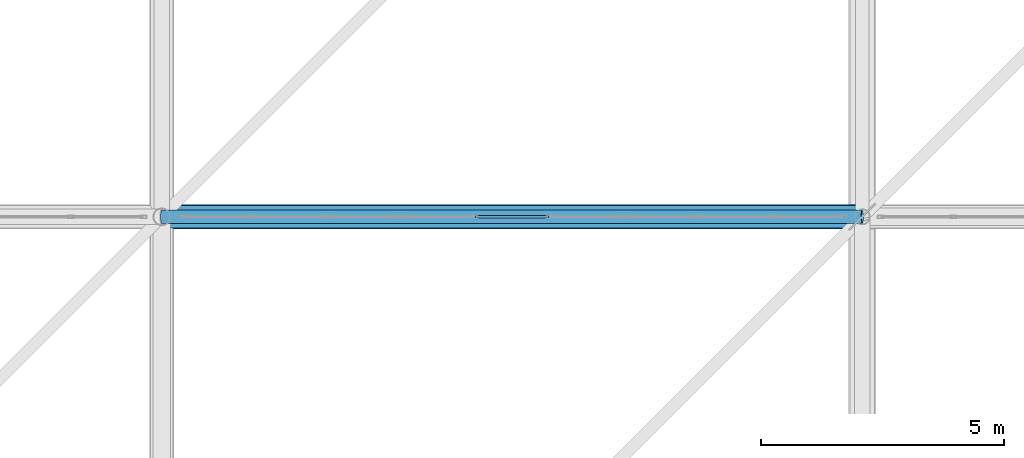
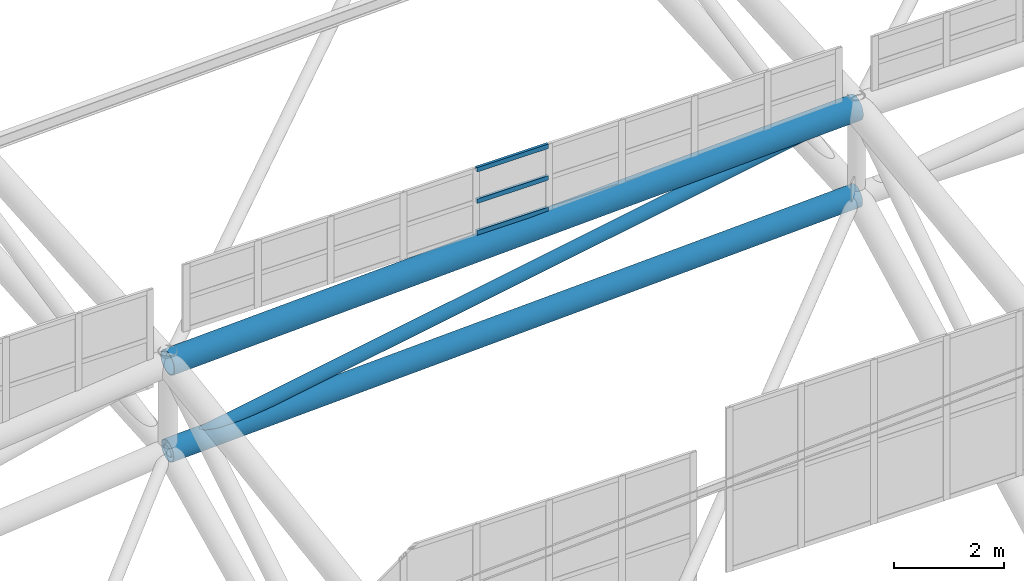
# One storey, part 44 of 397: 4 members, 2 beams, 1 element without a shape of its own.
"""IFC4 building model written with IfcOpenShell, lengths in metres."""

from ifc_helpers import new_model, si_unit, direction, frame, origin, origin_2d, place, context, subcontext, project, spatial, hollow_rectangle, hollow_circle, extrude, material, material_profile, profile_set, type_object, element, aggregate, save


model = new_model("IFC4")

# Units and contexts
model_context = context("Model", 3, precision=1e-05, world=origin(), true_north=direction((0.0, 1.0)))
body_context = subcontext(model_context, "Body", "Model", "MODEL_VIEW")
ifc_project = project(units=[si_unit("LENGTHUNIT", "METRE"), si_unit("AREAUNIT", "SQUARE_METRE"), si_unit("VOLUMEUNIT", "CUBIC_METRE"), si_unit("PLANEANGLEUNIT", "RADIAN"), si_unit("MASSUNIT", "GRAM", prefix="KILO")], contexts=[model_context])

# Site, building, storey
site_placement = place(None, origin())
site = spatial("IfcSite", under=ifc_project, at=site_placement, CompositionType="ELEMENT")
building_placement = place(site_placement, origin())
building = spatial("IfcBuilding", under=site, at=building_placement, Name="Qandorah Velis Arena", CompositionType="ELEMENT")
storey_placement = place(building_placement, frame((0.0, 0.0, 27.5)))
storey = spatial("IfcBuildingStorey", under=building, at=storey_placement, Name="RF", CompositionType="ELEMENT", Elevation=27.5)

# Curtain wall, members
ifc_material_1 = material(Name="Solar-control low-E double glazing", Category="glass")
curtain_wall_type = type_object("IfcCurtainWallType", Name="ARC-CW-SYS17", PredefinedType="USERDEFINED", material=ifc_material_1)
curtain_wall_placement = place(storey_placement, origin())
curtain_wall = element("IfcCurtainWall", 1, at=curtain_wall_placement, inside=storey, type_object=curtain_wall_type, Name="Unitised curtain wall OCULUS-3-2", ObjectType="UNITISED CURTAIN WALL", PredefinedType="USERDEFINED")
ifc_material_2 = material(Name="Champagne-bronze anodized aluminium 6063-T6", Category="aluminium")
ifc_material_profile_1 = material_profile(ifc_material_2, hollow_rectangle(XDim=0.054931640625, YDim=0.10009765625, WallThickness=0.0029296875, at=origin_2d()), Name="ALU TRANSOM 55x100")
ifc_profile_set_1 = profile_set([ifc_material_profile_1], Name="Champagne-bronze anodized aluminium 6063-T6")
member_type_1 = type_object("IfcMemberType", Name="ARC-CWT-100", PredefinedType="USERDEFINED", material=ifc_profile_set_1)
member_1_placement = place(storey_placement, frame((49.654296875, 28.800048828125, 9.57666015625), z_axis=(1.0, 0.0, 0.0), x_axis=(0.0, 1.0, 0.0)))
member_1 = element("IfcMember", 2, at=member_1_placement, type_object=member_type_1, Name="CW17 transom 5.1", ObjectType="TRANSOM", PredefinedType="USERDEFINED", context=body_context, shape_type="SweptSolid", body=[
    extrude(hollow_rectangle(XDim=0.054931640625, YDim=0.10009765625, WallThickness=0.0029296875, at=origin_2d()), origin(), (0.0, 0.0, 1.0), 1.4912109375),
])
member_2_placement = place(storey_placement, frame((49.654296875, 28.800048828125, 10.274658203125), z_axis=(1.0, 0.0, 0.0), x_axis=(0.0, 1.0, 0.0)))
member_2 = element("IfcMember", 3, at=member_2_placement, type_object=member_type_1, Name="CW17 transom 5.2", ObjectType="TRANSOM", PredefinedType="USERDEFINED", context=body_context, shape_type="SweptSolid", body=[
    extrude(hollow_rectangle(XDim=0.054931640625, YDim=0.10009765625, WallThickness=0.0029296875, at=origin_2d()), origin(), (0.0, 0.0, 1.0), 1.4912109375),
])
member_3_placement = place(storey_placement, frame((49.654296875, 28.800048828125, 10.972412109375), z_axis=(1.0, 0.0, 0.0), x_axis=(0.0, 1.0, 0.0)))
member_3 = element("IfcMember", 4, at=member_3_placement, type_object=member_type_1, Name="CW17 transom 5.3", ObjectType="TRANSOM", PredefinedType="USERDEFINED", context=body_context, shape_type="SweptSolid", body=[
    extrude(hollow_rectangle(XDim=0.054931640625, YDim=0.10009765625, WallThickness=0.0029296875, at=origin_2d()), origin(), (0.0, 0.0, 1.0), 1.4912109375),
])
aggregate(curtain_wall, [member_1, member_2, member_3])

# Beams
ifc_material_3 = material(Name="Steel S355", Category="steel")
ifc_material_profile_2 = material_profile(ifc_material_3, hollow_circle(Radius=0.228515625, WallThickness=0.01611328125, at=origin_2d()), Name="CHS 457x16")
ifc_profile_set_2 = profile_set([ifc_material_profile_2], Name="Steel S355")
beam_type_1 = type_object("IfcBeamType", Name="STR-SFC-CHS457X16", PredefinedType="USERDEFINED", material=ifc_profile_set_2)
beam_1_placement = place(storey_placement, frame((43.199951171875, 28.800048828125, 7.009521484375), z_axis=(0.999122206427, 0.0, 0.04189053145), x_axis=(0.0, 1.0, 0.0)))
element("IfcBeam", 5, at=beam_1_placement, inside=storey, type_object=beam_type_1, Name="Space frame roof truss bottom chord X 2.1", ObjectType="ROOF TRUSS", PredefinedType="USERDEFINED", context=body_context, shape_type="SweptSolid", body=[
    extrude(hollow_circle(Radius=0.228515625, WallThickness=0.01611328125, at=origin_2d()), origin(), (0.0, 0.0, 1.0), 14.412841796875),
])
ifc_material_profile_3 = material_profile(ifc_material_3, hollow_circle(Radius=0.25390625, WallThickness=0.02001953125, at=origin_2d()), Name="CHS 508x20")
ifc_profile_set_3 = profile_set([ifc_material_profile_3], Name="Steel S355")
beam_type_2 = type_object("IfcBeamType", Name="STR-SFC-CHS508X20", PredefinedType="USERDEFINED", material=ifc_profile_set_3)
beam_2_placement = place(storey_placement, frame((43.199951171875, 28.800048828125, 8.95947265625), z_axis=(0.999122206427, 0.0, 0.04189053145), x_axis=(0.0, 1.0, 0.0)))
element("IfcBeam", 6, at=beam_2_placement, inside=storey, type_object=beam_type_2, Name="Space frame roof truss top chord X 2.1", ObjectType="ROOF TRUSS", PredefinedType="USERDEFINED", context=body_context, shape_type="SweptSolid", body=[
    extrude(hollow_circle(Radius=0.25390625, WallThickness=0.02001953125, at=origin_2d()), origin(), (0.0, 0.0, 1.0), 14.412841796875),
])

# Member
ifc_material_profile_4 = material_profile(ifc_material_3, hollow_circle(Radius=0.136474609375, WallThickness=0.010009765625, at=origin_2d()), Name="CHS 273x10")
ifc_profile_set_4 = profile_set([ifc_material_profile_4], Name="Steel S355")
member_type_2 = type_object("IfcMemberType", Name="STR-SFD-CHS273X10", PredefinedType="STRUT", material=ifc_profile_set_4)
member_4_placement = place(storey_placement, frame((43.199951171875, 28.800048828125, 7.009521484375), z_axis=(0.984636832654, 0.0, 0.17461474102), x_axis=(0.0, 1.0, 0.0)))
element("IfcMember", 7, at=member_4_placement, inside=storey, type_object=member_type_2, Name="Space frame roof diagonal X 2.1", PredefinedType="STRUT", context=body_context, shape_type="SweptSolid", body=[
    extrude(hollow_circle(Radius=0.136474609375, WallThickness=0.010009765625, at=origin_2d()), origin(), (0.0, 0.0, 1.0), 14.624755859375),
])

save(model, "model.ifc")
